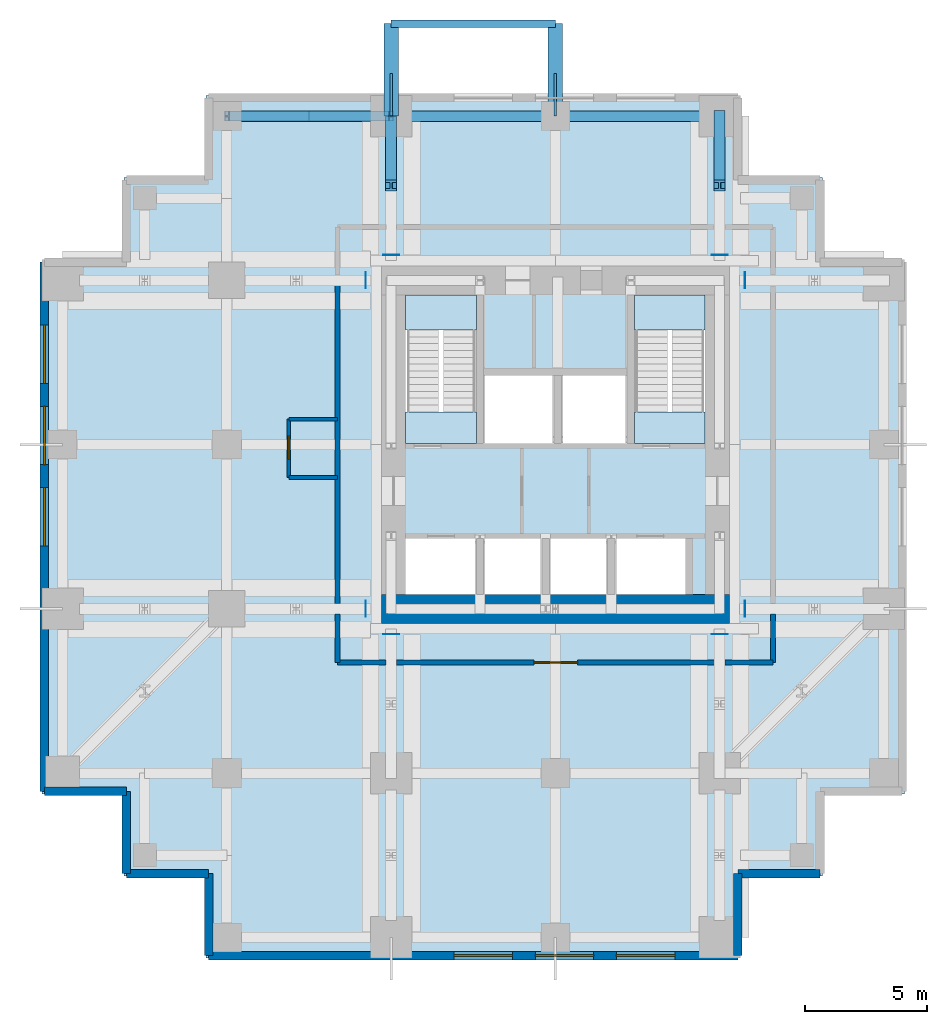
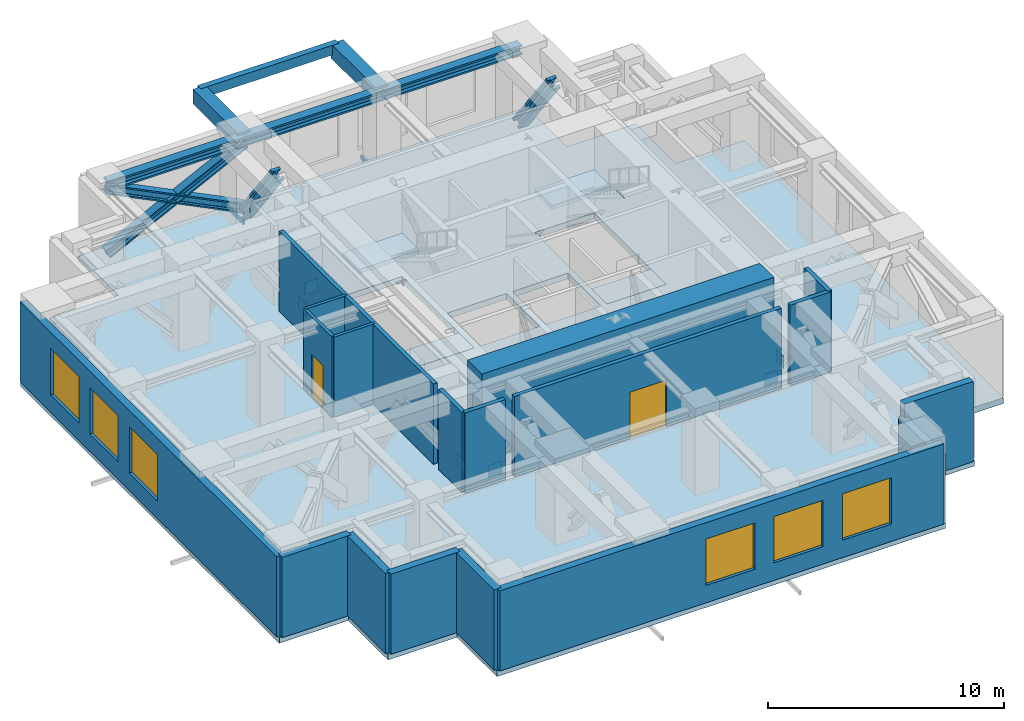
# One storey, part 3 of 6: 18 walls, 8 plates, 6 beams, 6 members, 6 windows, 5 slabs, 2 doors, 8 openings, 2 elements without a shape of their own.
"""IFC4 building model written with IfcOpenShell, lengths in metres."""

from ifc_helpers import new_model, si_unit, direction, frame, frame_2d, origin, origin_2d, place, context, subcontext, project, spatial, polyline, rectangle, hollow_rectangle, i_section, outline, extrude, material, layer, layer_set, material_profile, profile_set, type_object, element, fill, aggregate, save


model = new_model("IFC4")

# Units and contexts
model_context = context("Model", 3, precision=1e-05, world=origin(), true_north=direction((0.0, 1.0)))
body_context = subcontext(model_context, "Body", "Model", "MODEL_VIEW")
ifc_project = project(units=[si_unit("LENGTHUNIT", "METRE"), si_unit("AREAUNIT", "SQUARE_METRE"), si_unit("VOLUMEUNIT", "CUBIC_METRE"), si_unit("PLANEANGLEUNIT", "RADIAN"), si_unit("MASSUNIT", "GRAM", prefix="KILO")], contexts=[model_context])

# Site, building, storey
site_placement = place(None, origin())
site = spatial("IfcSite", under=ifc_project, at=site_placement, CompositionType="ELEMENT")
building_placement = place(site_placement, origin())
building = spatial("IfcBuilding", under=site, at=building_placement, Name="Nyansa Garden Tower", CompositionType="ELEMENT")
storey_placement = place(building_placement, frame((0.0, 0.0, 199.800048828125)))
storey = spatial("IfcBuildingStorey", under=building, at=storey_placement, Name="L54", CompositionType="ELEMENT", Elevation=199.800048828125)

# Beams
ifc_material_1 = material(Name="Concrete C70/85", Category="concrete")
ifc_material_profile_1 = material_profile(ifc_material_1, rectangle(XDim=0.60009765625, YDim=0.75, at=origin_2d()), Name="RC 600x750")
ifc_profile_set_1 = profile_set([ifc_material_profile_1], Name="Concrete C70/85")
beam_type_1 = type_object("IfcBeamType", Name="Balcony cantilever beam CB1 RC 600x750", PredefinedType="BEAM", material=ifc_profile_set_1)
for number, where, z_axis, x_axis, name in (
    (1, (13.5, 33.75, 3.885009765625), (0.0, 1.0, 0.0), (-1.0, 0.0, 0.0), "Balcony cantilever beam L55"),
    (2, (20.25, 33.75, 3.885009765625), (0.0, 1.0, 0.0), (-1.0, 0.0, 0.0), "Balcony cantilever beam L55"),
):
    element("IfcBeam", number, at=place(storey_placement, frame(where, z_axis=z_axis, x_axis=x_axis)), inside=storey, type_object=beam_type_1, Name=name, PredefinedType="BEAM", context=body_context, shape_type="SweptSolid", body=[
        extrude(rectangle(XDim=0.60009765625, YDim=0.75, at=origin_2d()), origin(), (0.0, 0.0, 1.0), 3.800048828125),
    ])
ifc_material_2 = material(Name="Concrete C70/85", Category="concrete")
ifc_material_profile_2 = material_profile(ifc_material_2, rectangle(XDim=0.300048828125, YDim=0.5, at=origin_2d()), Name="RC 300x500")
ifc_profile_set_2 = profile_set([ifc_material_profile_2], Name="Concrete C70/85")
beam_type_2 = type_object("IfcBeamType", Name="Balcony edge beam BE1 RC 300x500", PredefinedType="BEAM", material=ifc_profile_set_2)
beam_placement = place(storey_placement, frame((13.5, 37.550048828125, 4.010009765625), z_axis=(1.0, 0.0, 0.0), x_axis=(0.0, 1.0, 0.0)))
element("IfcBeam", 3, at=beam_placement, inside=storey, type_object=beam_type_2, Name="Balcony edge beam L55", PredefinedType="BEAM", context=body_context, shape_type="SweptSolid", body=[
    extrude(rectangle(XDim=0.300048828125, YDim=0.5, at=origin_2d()), origin(), (0.0, 0.0, 1.0), 6.75),
])

# Members
ifc_material_3 = material(Name="Steel S355", Category="steel")
ifc_material_profile_3 = material_profile(ifc_material_3, i_section(OverallWidth=0.41796875, OverallDepth=0.455078125, WebThickness=0.0419921875, FlangeThickness=0.067626953125, FilletRadius=0.014892578125, at=origin_2d()), Name="HD 400x463")
ifc_profile_set_3 = profile_set([ifc_material_profile_3], Name="Steel S355")
member_type_1 = type_object("IfcMemberType", Name="Belt truss diagonal HD 400x463", PredefinedType="BRACE", material=ifc_profile_set_3)
for number, where, z_axis, x_axis, name in (
    (4, (6.75, 33.75, 0.39990234375), (0.895745130073, 0.0, 0.444567949756), (0.0, 1.0, 0.0), "Belt truss diagonal N1a L54"),
    (5, (13.5, 33.75, 0.39990234375), (-0.895745130073, 0.0, 0.444567949756), (0.0, -1.0, 0.0), "Belt truss diagonal N1b L54"),
):
    element("IfcMember", number, at=place(storey_placement, frame(where, z_axis=z_axis, x_axis=x_axis)), inside=storey, type_object=member_type_1, Name=name, PredefinedType="BRACE", context=body_context, shape_type="SweptSolid", body=[
        extrude(i_section(OverallWidth=0.41796875, OverallDepth=0.455078125, WebThickness=0.0419921875, FlangeThickness=0.067626953125, FilletRadius=0.014892578125, at=origin_2d()), origin(), (0.0, 0.0, 1.0), 7.53564453125),
    ])
ifc_material_4 = material(Name="Steel S355, black powder coated", Category="steel")
ifc_material_profile_4 = material_profile(ifc_material_4, hollow_rectangle(XDim=0.10009765625, YDim=0.199951171875, WallThickness=0.008056640625, at=origin_2d()), Name="RHS 200x100x8")
ifc_profile_set_4 = profile_set([ifc_material_profile_4], Name="Steel S355, black powder coated")
member_type_2 = type_object("IfcMemberType", Name="Outer skin bracket arm RHS 200x100x8", PredefinedType="USERDEFINED", material=ifc_profile_set_4)
for number, where, z_axis, x_axis, name in (
    (6, (13.5, 33.75, -0.449951171875), (0.0, 1.0, 0.0), (-1.0, 0.0, 0.0), "Outer skin bracket arm"),
    (7, (20.25, 33.75, -0.449951171875), (0.0, 1.0, 0.0), (-1.0, 0.0, 0.0), "Outer skin bracket arm"),
):
    element("IfcMember", number, at=place(storey_placement, frame(where, z_axis=z_axis, x_axis=x_axis)), inside=storey, type_object=member_type_2, Name=name, ObjectType="OUTER SKIN BRACKET", PredefinedType="USERDEFINED", context=body_context, shape_type="SweptSolid", body=[
        extrude(hollow_rectangle(XDim=0.10009765625, YDim=0.199951171875, WallThickness=0.008056640625, at=origin_2d()), origin(), (0.0, 0.0, 1.0), 1.75),
    ])
ifc_material_5 = material(Name="Steel S355", Category="steel")
ifc_material_profile_5 = material_profile(ifc_material_5, i_section(OverallWidth=0.4541015625, OverallDepth=0.569091796875, WebThickness=0.077880859375, FlangeThickness=0.125, FilletRadius=0.014892578125, at=origin_2d()), Name="HD 400x1086")
ifc_profile_set_5 = profile_set([ifc_material_profile_5], Name="Steel S355")
member_type_3 = type_object("IfcMemberType", Name="Outrigger truss diagonal HD 400x1086", PredefinedType="BRACE", material=ifc_profile_set_5)
for number, where, z_axis, x_axis, name in (
    (8, (13.5, 33.75, 0.0), (0.0, -0.600008223483, 0.799993832321), (1.0, 0.0, 0.0), "Outrigger truss diagonal L54 3.1b"),
    (9, (27.0, 33.75, 0.0), (0.0, -0.600008223483, 0.799993832321), (1.0, 0.0, 0.0), "Outrigger truss diagonal L54 4.1b"),
):
    element("IfcMember", number, at=place(storey_placement, frame(where, z_axis=z_axis, x_axis=x_axis)), inside=storey, type_object=member_type_3, Name=name, PredefinedType="BRACE", context=body_context, shape_type="SweptSolid", body=[
        extrude(i_section(OverallWidth=0.4541015625, OverallDepth=0.569091796875, WebThickness=0.077880859375, FlangeThickness=0.125, FilletRadius=0.014892578125, at=origin_2d()), origin(), (0.0, 0.0, 1.0), 4.75),
    ])

# Beams
ifc_material_6 = material(Name="Steel S355", Category="steel")
ifc_material_profile_6 = material_profile(ifc_material_6, i_section(OverallWidth=0.431884765625, OverallDepth=0.498046875, WebThickness=0.0556640625, FlangeThickness=0.0888671875, FilletRadius=0.014892578125, at=origin_2d()), Name="HD 400x744")
ifc_profile_set_6 = profile_set([ifc_material_profile_6], Name="Steel S355")
beam_type_3 = type_object("IfcBeamType", Name="Steel beam SEBC-744 HD 400x744", PredefinedType="BEAM", material=ifc_profile_set_6)
for number, where, z_axis, x_axis, name in (
    (10, (6.75, 33.75, 3.90087890625), (1.0, 0.0, 0.0), (0.0, 1.0, 0.0), "Steel edge beam 3/J-4/J L55"),
    (11, (13.5, 33.75, 3.90087890625), (1.0, 0.0, 0.0), (0.0, 1.0, 0.0), "Steel edge beam 4/J-5/J L55"),
    (12, (20.25, 33.75, 3.90087890625), (1.0, 0.0, 0.0), (0.0, 1.0, 0.0), "Steel edge beam 5/J-6/J L55"),
):
    element("IfcBeam", number, at=place(storey_placement, frame(where, z_axis=z_axis, x_axis=x_axis)), inside=storey, type_object=beam_type_3, Name=name, PredefinedType="BEAM", context=body_context, shape_type="SweptSolid", body=[
        extrude(i_section(OverallWidth=0.431884765625, OverallDepth=0.498046875, WebThickness=0.0556640625, FlangeThickness=0.0888671875, FilletRadius=0.014892578125, at=origin_2d()), origin(), (0.0, 0.0, 1.0), 6.75),
    ])

# Slab
ifc_material_7 = material(Name="Concrete C40/50", Category="concrete")
ifc_layer_1 = layer(ifc_material_7, 0.300048828125)
ifc_layer_set_1 = layer_set([ifc_layer_1], Name="Floor slab FS300")
slab_type_1 = type_object("IfcSlabType", Name="Floor slab FS300", PredefinedType="FLOOR", material=ifc_layer_set_1)
slab_1_placement = place(storey_placement, frame((0.0, 0.0, -0.300048828125)))
element("IfcSlab", 13, at=slab_1_placement, inside=storey, type_object=slab_type_1, Name="Floor slab L54", PredefinedType="FLOOR", context=body_context, shape_type="SweptSolid", body=[
    extrude(outline(polyline([(34.60009765625, 5.89990234375), (31.22509765625, 5.89990234375), (31.22509765625, 2.52490234375), (27.85009765625, 2.52490234375), (27.85009765625, -0.85009765625), (5.89990234375, -0.85009765625), (5.89990234375, 2.52490234375), (2.52490234375, 2.52490234375), (2.52490234375, 5.89990234375), (-0.85009765625, 5.89990234375), (-0.85009765625, 27.85009765625), (2.52490234375, 27.85009765625), (2.52490234375, 31.22509765625), (5.89990234375, 31.22509765625), (5.89990234375, 34.60009765625), (27.85009765625, 34.60009765625), (27.85009765625, 31.22509765625), (31.22509765625, 31.22509765625), (31.22509765625, 27.85009765625), (34.60009765625, 27.85009765625), (34.60009765625, 5.89990234375)]), holes=[polyline([(14.10009765625, 14.10009765625), (17.0, 14.10009765625), (17.0, 16.39990234375), (14.10009765625, 16.39990234375), (14.10009765625, 14.10009765625)]), polyline([(17.300048828125, 14.10009765625), (19.699951171875, 14.10009765625), (19.699951171875, 16.39990234375), (17.300048828125, 16.39990234375), (17.300048828125, 14.10009765625)]), polyline([(20.0, 14.10009765625), (22.39990234375, 14.10009765625), (22.39990234375, 16.39990234375), (20.0, 16.39990234375), (20.0, 14.10009765625)]), polyline([(22.699951171875, 14.10009765625), (25.60009765625, 14.10009765625), (25.60009765625, 16.39990234375), (22.699951171875, 16.39990234375), (22.699951171875, 14.10009765625)]), polyline([(17.300048828125, 20.300048828125), (20.199951171875, 20.300048828125), (20.199951171875, 23.10009765625), (17.300048828125, 23.10009765625), (17.300048828125, 20.300048828125)]), polyline([(20.5, 20.300048828125), (23.199951171875, 20.300048828125), (23.199951171875, 23.10009765625), (20.5, 23.10009765625), (20.5, 20.300048828125)]), polyline([(14.10009765625, 20.300048828125), (17.0, 20.300048828125), (17.0, 26.39990234375), (14.10009765625, 26.39990234375), (14.10009765625, 20.300048828125)]), polyline([(23.5, 20.300048828125), (26.39990234375, 20.300048828125), (26.39990234375, 26.39990234375), (23.5, 26.39990234375), (23.5, 20.300048828125)])]), origin(), (0.0, 0.0, 1.0), 0.300048828125),
])

# Plates
ifc_material_8 = material(Name="Steel S355", Category="steel")
ifc_layer_2 = layer(ifc_material_8, 0.01611328125)
ifc_layer_set_2 = layer_set([ifc_layer_2], Name="Outrigger chord end plate ECP1")
plate_type = type_object("IfcPlateType", Name="Outrigger chord end plate ECP1", PredefinedType="USERDEFINED", material=ifc_layer_set_2)
for number, where, z_axis, x_axis, name in (
    (14, (13.5, 12.4580078125, -0.625), (0.0, 0.0, 1.0), (1.0, 0.0, 0.0), "Outrigger diagonal L54 1.2b gusset end plate"),
    (15, (27.0, 12.4580078125, -0.625), (0.0, 0.0, 1.0), (1.0, 0.0, 0.0), "Outrigger diagonal L54 2.2b gusset end plate"),
    (16, (13.5, 28.0419921875, -0.625), (0.0, 0.0, 1.0), (1.0, 0.0, 0.0), "Outrigger diagonal L54 3.1a gusset end plate"),
    (17, (27.0, 28.0419921875, -0.625), (0.0, 0.0, 1.0), (1.0, 0.0, 0.0), "Outrigger diagonal L54 4.1a gusset end plate"),
):
    element("IfcPlate", number, at=place(storey_placement, frame(where, z_axis=z_axis, x_axis=x_axis)), inside=storey, type_object=plate_type, Name=name, ObjectType="END PLATE", PredefinedType="USERDEFINED", context=body_context, shape_type="SweptSolid", body=[
        extrude(rectangle(XDim=0.64990234375, YDim=0.01611328125, at=origin_2d()), origin(), (0.0, 0.0, 1.0), 0.64990234375),
    ])
for number, where, z_axis, x_axis, name in (
    (18, (12.4580078125, 13.5, -0.625), (0.0, 0.0, 1.0), (1.0, 0.0, 0.0), "Outrigger diagonal L54 5.2b gusset end plate"),
    (19, (12.4580078125, 27.0, -0.625), (0.0, 0.0, 1.0), (1.0, 0.0, 0.0), "Outrigger diagonal L54 6.2b gusset end plate"),
    (20, (28.0419921875, 13.5, -0.625), (0.0, 0.0, 1.0), (1.0, 0.0, 0.0), "Outrigger diagonal L54 7.1a gusset end plate"),
    (21, (28.0419921875, 27.0, -0.625), (0.0, 0.0, 1.0), (1.0, 0.0, 0.0), "Outrigger diagonal L54 8.1a gusset end plate"),
):
    element("IfcPlate", number, at=place(storey_placement, frame(where, z_axis=z_axis, x_axis=x_axis)), inside=storey, type_object=plate_type, Name=name, ObjectType="END PLATE", PredefinedType="USERDEFINED", context=body_context, shape_type="SweptSolid", body=[
        extrude(rectangle(XDim=0.01611328125, YDim=0.64990234375, at=origin_2d()), origin(), (0.0, 0.0, 1.0), 0.64990234375),
    ])

# Stair, slabs
ifc_material_9 = material(Name="Precast concrete C40/50", Category="concrete")
stair_type_1 = type_object("IfcStairType", Name="Stair S1 173x280", PredefinedType="HALF_TURN_STAIR", material=ifc_material_9)
stair_1_placement = place(storey_placement, origin())
stair_1 = element("IfcStair", 22, at=stair_1_placement, inside=storey, type_object=stair_type_1, Name="Stair S1 L54", PredefinedType="HALF_TURN_STAIR")
ifc_material_10 = material(Name="Concrete C40/50", Category="concrete")
ifc_layer_3 = layer(ifc_material_10, 0.199951171875)
ifc_layer_set_3 = layer_set([ifc_layer_3], Name="Stair landing SL200")
slab_type_2 = type_object("IfcSlabType", Name="Stair landing SL200", PredefinedType="LANDING", material=ifc_layer_set_3)
slab_2_placement = place(storey_placement, frame((0.0, 0.0, -0.199951171875)))
slab_2 = element("IfcSlab", 23, at=slab_2_placement, type_object=slab_type_2, Name="S1 landing 1", PredefinedType="LANDING", context=body_context, shape_type="SweptSolid", body=[
    extrude(outline(polyline([(14.10009765625, 20.300048828125), (17.0, 20.300048828125), (17.0, 21.60009765625), (14.10009765625, 21.60009765625), (14.10009765625, 20.300048828125)])), origin(), (0.0, 0.0, 1.0), 0.199951171875),
])
slab_3_placement = place(storey_placement, frame((0.0, 0.0, 2.050048828125)))
slab_3 = element("IfcSlab", 24, at=slab_3_placement, type_object=slab_type_2, Name="S1 landing 2", PredefinedType="LANDING", context=body_context, shape_type="SweptSolid", body=[
    extrude(outline(polyline([(14.10009765625, 24.9599609375), (17.0, 24.9599609375), (17.0, 26.39990234375), (14.10009765625, 26.39990234375), (14.10009765625, 24.9599609375)])), origin(), (0.0, 0.0, 1.0), 0.199951171875),
])
aggregate(stair_1, [slab_2, slab_3])

ifc_material_11 = material(Name="Precast concrete C40/50", Category="concrete")
stair_type_2 = type_object("IfcStairType", Name="Stair S2 173x280", PredefinedType="HALF_TURN_STAIR", material=ifc_material_11)
stair_2_placement = place(storey_placement, origin())
stair_2 = element("IfcStair", 25, at=stair_2_placement, inside=storey, type_object=stair_type_2, Name="Stair S2 L54", PredefinedType="HALF_TURN_STAIR")
slab_4_placement = place(storey_placement, frame((0.0, 0.0, -0.199951171875)))
slab_4 = element("IfcSlab", 26, at=slab_4_placement, type_object=slab_type_2, Name="S2 landing 1", PredefinedType="LANDING", context=body_context, shape_type="SweptSolid", body=[
    extrude(outline(polyline([(23.5, 20.300048828125), (26.39990234375, 20.300048828125), (26.39990234375, 21.60009765625), (23.5, 21.60009765625), (23.5, 20.300048828125)])), origin(), (0.0, 0.0, 1.0), 0.199951171875),
])
slab_5_placement = place(storey_placement, frame((0.0, 0.0, 2.050048828125)))
slab_5 = element("IfcSlab", 27, at=slab_5_placement, type_object=slab_type_2, Name="S2 landing 2", PredefinedType="LANDING", context=body_context, shape_type="SweptSolid", body=[
    extrude(outline(polyline([(23.5, 24.9599609375), (26.39990234375, 24.9599609375), (26.39990234375, 26.39990234375), (23.5, 26.39990234375), (23.5, 24.9599609375)])), origin(), (0.0, 0.0, 1.0), 0.199951171875),
])
aggregate(stair_2, [slab_4, slab_5])

# Walls
ifc_material_12 = material(Name="Concrete C80/95", Category="concrete")
ifc_layer_4 = layer(ifc_material_12, 1.199951171875)
ifc_layer_set_4 = layer_set([ifc_layer_4], Name="Core wall CW1200")
wall_type_1 = type_object("IfcWallType", Name="Core wall CW1200", PredefinedType="SHEAR", material=ifc_layer_set_4)
wall_1_placement = place(storey_placement, frame((13.10009765625, 13.5, 0.0), z_axis=(0.0, 0.0, 1.0), x_axis=(1.0, 0.0, 0.0)))
element("IfcWall", 28, at=wall_1_placement, inside=storey, type_object=wall_type_1, Name="Core wall S L54", PredefinedType="SHEAR", context=body_context, shape_type="SweptSolid", body=[
    extrude(rectangle(XDim=14.2998046875, YDim=1.199951171875, at=frame_2d((7.14990234375, 0.0))), origin(), (0.0, 0.0, 1.0), 4.5),
])
ifc_material_13 = material(Name="Concrete blockwork, plastered, 60 minute fire resisting", Category="masonry")
ifc_layer_5 = layer(ifc_material_13, 0.199951171875)
ifc_layer_set_5 = layer_set([ifc_layer_5], Name="Corridor wall FW200")
wall_type_2 = type_object("IfcWallType", Name="Corridor wall FW200", PredefinedType="PARTITIONING", material=ifc_layer_set_5)
for number, where, z_axis, x_axis, name in (
    (29, (11.300048828125, 11.300048828125, 0.0), (0.0, 0.0, 1.0), (0.0, 1.0, 0.0), "Corridor wall"),
    (30, (11.300048828125, 11.300048828125, 0.0), (0.0, 0.0, 1.0), (1.0, 0.0, 0.0), "Corridor wall"),
):
    element("IfcWall", number, at=place(storey_placement, frame(where, z_axis=z_axis, x_axis=x_axis)), inside=storey, type_object=wall_type_2, Name=name, PredefinedType="PARTITIONING", context=body_context, shape_type="SweptSolid", body=[
        extrude(rectangle(XDim=1.98486328125, YDim=0.199951171875, at=frame_2d((0.992431640625, 0.0))), origin(), (0.0, 0.0, 1.0), 4.14990234375),
    ])
wall_2_placement = place(storey_placement, frame((11.300048828125, 13.715087890625, 0.0), z_axis=(0.0, 0.0, 1.0), x_axis=(0.0, 1.0, 0.0)))
element("IfcWall", 31, at=wall_2_placement, inside=storey, type_object=wall_type_2, Name="Corridor wall", PredefinedType="PARTITIONING", context=body_context, shape_type="SweptSolid", body=[
    extrude(rectangle(XDim=13.06982421875, YDim=0.199951171875, at=frame_2d((6.534912109375, 0.0))), origin(), (0.0, 0.0, 1.0), 4.14990234375),
])

# Wall, opening, door
wall_3_placement = place(storey_placement, frame((13.715087890625, 11.300048828125, 0.0), z_axis=(0.0, 0.0, 1.0), x_axis=(1.0, 0.0, 0.0)))
wall_3 = element("IfcWall", 32, at=wall_3_placement, inside=storey, type_object=wall_type_2, Name="Corridor wall", PredefinedType="PARTITIONING", context=body_context, shape_type="SweptSolid", body=[
    extrude(rectangle(XDim=13.06982421875, YDim=0.199951171875, at=frame_2d((6.534912109375, 0.0))), origin(), (0.0, 0.0, 1.0), 4.14990234375),
])
opening_1_placement = place(wall_3_placement, frame((5.64990234375, 0.0, 0.0)))
opening_1 = element("IfcOpeningElement", 33, at=opening_1_placement, cuts=wall_3, Name="Opening D09", PredefinedType="OPENING", context=body_context, shape_type="SweptSolid", body=[
    extrude(rectangle(XDim=1.800048828125, YDim=2.39990234375, at=frame_2d((0.89990234375, 1.199951171875))), frame((0.0, 0.10986328125, 0.0), z_axis=(0.0, -1.0, 0.0), x_axis=(1.0, 0.0, 0.0)), (0.0, 0.0, 1.0), 0.219970703125),
])
ifc_material_14 = material(Name="Steel door, 120 minute fire resisting", Category="steel")
door_type_1 = type_object("IfcDoorType", Name="Plant room door D09 1800x2400", OperationType="DOUBLE_DOOR_SINGLE_SWING", PredefinedType="DOOR", material=ifc_material_14)
door_1_placement = place(opening_1_placement, origin())
door_1 = element("IfcDoor", 34, at=door_1_placement, inside=storey, type_object=door_type_1, Name="Door L54-017", OperationType="DOUBLE_DOOR_SINGLE_SWING", OverallHeight=2.39990234375, OverallWidth=1.800048828125, PredefinedType="DOOR", context=body_context, shape_type="SweptSolid", body=[
    extrude(rectangle(XDim=1.800048828125, YDim=2.39990234375, at=frame_2d((0.89990234375, 1.199951171875))), frame((0.0, 0.02490234375, 0.0), z_axis=(0.0, -1.0, 0.0), x_axis=(1.0, 0.0, 0.0)), (0.0, 0.0, 1.0), 0.050048828125),
])
fill(opening_1, door_1)

# Walls
for number, where, z_axis, x_axis, name in (
    (35, (27.215087890625, 11.300048828125, 0.0), (0.0, 0.0, 1.0), (1.0, 0.0, 0.0), "Corridor wall"),
    (36, (29.199951171875, 11.300048828125, 0.0), (0.0, 0.0, 1.0), (0.0, 1.0, 0.0), "Corridor wall"),
):
    element("IfcWall", number, at=place(storey_placement, frame(where, z_axis=z_axis, x_axis=x_axis)), inside=storey, type_object=wall_type_2, Name=name, PredefinedType="PARTITIONING", context=body_context, shape_type="SweptSolid", body=[
        extrude(rectangle(XDim=1.98486328125, YDim=0.199951171875, at=frame_2d((0.992431640625, 0.0))), origin(), (0.0, 0.0, 1.0), 4.14990234375),
    ])

# Wall, opening, door
ifc_material_15 = material(Name="Blockwork, plastered both sides", Category="masonry")
ifc_layer_6 = layer(ifc_material_15, 0.14990234375)
ifc_layer_set_6 = layer_set([ifc_layer_6], Name="Partition PW150")
wall_type_3 = type_object("IfcWallType", Name="Partition PW150", PredefinedType="PARTITIONING", material=ifc_layer_set_6)
wall_4_placement = place(storey_placement, frame((9.300048828125, 18.89990234375, 0.0), z_axis=(0.0, 0.0, 1.0), x_axis=(0.0, 1.0, 0.0)))
wall_4 = element("IfcWall", 37, at=wall_4_placement, inside=storey, type_object=wall_type_3, Name="Partition", PredefinedType="PARTITIONING", context=body_context, shape_type="SweptSolid", body=[
    extrude(rectangle(XDim=2.400146484375, YDim=0.14990234375, at=frame_2d((1.2001953125, 0.0))), origin(), (0.0, 0.0, 1.0), 4.14990234375),
])
opening_2_placement = place(wall_4_placement, frame((0.75, 0.0, 0.0)))
opening_2 = element("IfcOpeningElement", 38, at=opening_2_placement, cuts=wall_4, Name="Opening D01", PredefinedType="OPENING", context=body_context, shape_type="SweptSolid", body=[
    extrude(rectangle(XDim=0.949951171875, YDim=2.199951171875, at=frame_2d((0.47509765625, 1.10009765625))), frame((0.0, 0.0849609375, 0.0), z_axis=(0.0, -1.0, 0.0), x_axis=(1.0, 0.0, 0.0)), (0.0, 0.0, 1.0), 0.169921875),
])
ifc_material_16 = material(Name="Timber flush door, 30 minute fire resisting", Category="wood")
door_type_2 = type_object("IfcDoorType", Name="Bedroom door D01 950x2200", OperationType="SINGLE_SWING_LEFT", PredefinedType="DOOR", material=ifc_material_16)
door_2_placement = place(opening_2_placement, origin())
door_2 = element("IfcDoor", 39, at=door_2_placement, inside=storey, type_object=door_type_2, Name="Door L54-016", OperationType="SINGLE_SWING_LEFT", OverallHeight=2.199951171875, OverallWidth=0.949951171875, PredefinedType="DOOR", context=body_context, shape_type="SweptSolid", body=[
    extrude(rectangle(XDim=0.949951171875, YDim=2.199951171875, at=frame_2d((0.47509765625, 1.10009765625))), frame((0.0, 0.02490234375, 0.0), z_axis=(0.0, -1.0, 0.0), x_axis=(1.0, 0.0, 0.0)), (0.0, 0.0, 1.0), 0.050048828125),
])
fill(opening_2, door_2)

# Walls
for number, where, z_axis, x_axis, name in (
    (40, (9.300048828125, 18.89990234375, 0.0), (0.0, 0.0, 1.0), (1.0, 0.0, 0.0), "Partition"),
    (41, (9.300048828125, 21.300048828125, 0.0), (0.0, 0.0, 1.0), (1.0, 0.0, 0.0), "Partition"),
):
    element("IfcWall", number, at=place(storey_placement, frame(where, z_axis=z_axis, x_axis=x_axis)), inside=storey, type_object=wall_type_3, Name=name, PredefinedType="PARTITIONING", context=body_context, shape_type="SweptSolid", body=[
        extrude(rectangle(XDim=2.0, YDim=0.14990234375, at=frame_2d((1.0, 0.0))), origin(), (0.0, 0.0, 1.0), 4.14990234375),
    ])

# Wall, openings, windows
ifc_material_17 = material(Name="Turquoise and ultramarine glazed tile on concrete blockwork", Category="masonry")
ifc_layer_7 = layer(ifc_material_17, 0.35009765625)
ifc_layer_set_7 = layer_set([ifc_layer_7], Name="Tiled plant wall PW350")
wall_type_4 = type_object("IfcWallType", Name="Tiled plant wall PW350", PredefinedType="SOLIDWALL", material=ifc_layer_set_7)
wall_5_placement = place(storey_placement, frame((-0.75, 27.75, 0.0), z_axis=(0.0, 0.0, 1.0), x_axis=(0.0, -1.0, 0.0)))
wall_5 = element("IfcWall", 42, at=wall_5_placement, inside=storey, type_object=wall_type_4, Name="Tiled plant wall L54", PredefinedType="SOLIDWALL", context=body_context, shape_type="SweptSolid", body=[
    extrude(rectangle(XDim=21.75, YDim=0.35009765625, at=frame_2d((10.875, 0.0))), origin(), (0.0, 0.0, 1.0), 4.14990234375),
])
opening_3_placement = place(wall_5_placement, frame((2.58740234375, 0.0, 0.89990234375)))
opening_3 = element("IfcOpeningElement", 43, at=opening_3_placement, cuts=wall_5, Name="Opening W3", PredefinedType="OPENING", context=body_context, shape_type="SweptSolid", body=[
    extrude(rectangle(XDim=2.39990234375, YDim=2.39990234375, at=frame_2d((1.199951171875, 1.199951171875))), frame((0.0, 0.18505859375, 0.0), z_axis=(0.0, -1.0, 0.0), x_axis=(1.0, 0.0, 0.0)), (0.0, 0.0, 1.0), 0.3701171875),
])
opening_4_placement = place(wall_5_placement, frame((5.925048828125, 0.0, 0.89990234375)))
opening_4 = element("IfcOpeningElement", 44, at=opening_4_placement, cuts=wall_5, Name="Opening W3", PredefinedType="OPENING", context=body_context, shape_type="SweptSolid", body=[
    extrude(rectangle(XDim=2.39990234375, YDim=2.39990234375, at=frame_2d((1.199951171875, 1.199951171875))), frame((0.0, 0.18505859375, 0.0), z_axis=(0.0, -1.0, 0.0), x_axis=(1.0, 0.0, 0.0)), (0.0, 0.0, 1.0), 0.3701171875),
])
opening_5_placement = place(wall_5_placement, frame((9.262451171875, 0.0, 0.89990234375)))
opening_5 = element("IfcOpeningElement", 45, at=opening_5_placement, cuts=wall_5, Name="Opening W3", PredefinedType="OPENING", context=body_context, shape_type="SweptSolid", body=[
    extrude(rectangle(XDim=2.39990234375, YDim=2.39990234375, at=frame_2d((1.199951171875, 1.199951171875))), frame((0.0, 0.18505859375, 0.0), z_axis=(0.0, -1.0, 0.0), x_axis=(1.0, 0.0, 0.0)), (0.0, 0.0, 1.0), 0.3701171875),
])
ifc_material_18 = material(Name="Black aluminium weather louvre", Category="aluminium")
window_type = type_object("IfcWindowType", Name="Louvre W3 2400x2400", PartitioningType="SINGLE_PANEL", PredefinedType="WINDOW", material=ifc_material_18)
window_1_placement = place(opening_3_placement, origin())
window_1 = element("IfcWindow", 46, at=window_1_placement, inside=storey, type_object=window_type, Name="Louvre L54", OverallHeight=2.39990234375, OverallWidth=2.39990234375, PartitioningType="SINGLE_PANEL", PredefinedType="WINDOW", context=body_context, shape_type="SweptSolid", body=[
    extrude(rectangle(XDim=2.39990234375, YDim=2.39990234375, at=frame_2d((1.199951171875, 1.199951171875))), frame((0.0, 0.030029296875, 0.0), z_axis=(0.0, -1.0, 0.0), x_axis=(1.0, 0.0, 0.0)), (0.0, 0.0, 1.0), 0.06005859375),
])
fill(opening_3, window_1)
window_2_placement = place(opening_4_placement, origin())
window_2 = element("IfcWindow", 47, at=window_2_placement, inside=storey, type_object=window_type, Name="Louvre L54", OverallHeight=2.39990234375, OverallWidth=2.39990234375, PartitioningType="SINGLE_PANEL", PredefinedType="WINDOW", context=body_context, shape_type="SweptSolid", body=[
    extrude(rectangle(XDim=2.39990234375, YDim=2.39990234375, at=frame_2d((1.199951171875, 1.199951171875))), frame((0.0, 0.030029296875, 0.0), z_axis=(0.0, -1.0, 0.0), x_axis=(1.0, 0.0, 0.0)), (0.0, 0.0, 1.0), 0.06005859375),
])
fill(opening_4, window_2)
window_3_placement = place(opening_5_placement, origin())
window_3 = element("IfcWindow", 48, at=window_3_placement, inside=storey, type_object=window_type, Name="Louvre L54", OverallHeight=2.39990234375, OverallWidth=2.39990234375, PartitioningType="SINGLE_PANEL", PredefinedType="WINDOW", context=body_context, shape_type="SweptSolid", body=[
    extrude(rectangle(XDim=2.39990234375, YDim=2.39990234375, at=frame_2d((1.199951171875, 1.199951171875))), frame((0.0, 0.030029296875, 0.0), z_axis=(0.0, -1.0, 0.0), x_axis=(1.0, 0.0, 0.0)), (0.0, 0.0, 1.0), 0.06005859375),
])
fill(opening_5, window_3)

# Walls
for number, where, z_axis, x_axis, name in (
    (49, (-0.75, 6.0, 0.0), (0.0, 0.0, 1.0), (1.0, 0.0, 0.0), "Tiled plant wall L54"),
    (50, (2.625, 6.0, 0.0), (0.0, 0.0, 1.0), (0.0, -1.0, 0.0), "Tiled plant wall L54"),
    (51, (2.625, 2.625, 0.0), (0.0, 0.0, 1.0), (1.0, 0.0, 0.0), "Tiled plant wall L54"),
    (52, (6.0, 2.625, 0.0), (0.0, 0.0, 1.0), (0.0, -1.0, 0.0), "Tiled plant wall L54"),
):
    element("IfcWall", number, at=place(storey_placement, frame(where, z_axis=z_axis, x_axis=x_axis)), inside=storey, type_object=wall_type_4, Name=name, PredefinedType="SOLIDWALL", context=body_context, shape_type="SweptSolid", body=[
        extrude(rectangle(XDim=3.375, YDim=0.35009765625, at=frame_2d((1.6875, 0.0))), origin(), (0.0, 0.0, 1.0), 4.14990234375),
    ])

# Wall, openings, windows
wall_6_placement = place(storey_placement, frame((6.0, -0.75, 0.0), z_axis=(0.0, 0.0, 1.0), x_axis=(1.0, 0.0, 0.0)))
wall_6 = element("IfcWall", 53, at=wall_6_placement, inside=storey, type_object=wall_type_4, Name="Tiled plant wall L54", PredefinedType="SOLIDWALL", context=body_context, shape_type="SweptSolid", body=[
    extrude(rectangle(XDim=21.75, YDim=0.35009765625, at=frame_2d((10.875, 0.0))), origin(), (0.0, 0.0, 1.0), 4.14990234375),
])
opening_6_placement = place(wall_6_placement, frame((10.08740234375, 0.0, 0.89990234375)))
opening_6 = element("IfcOpeningElement", 54, at=opening_6_placement, cuts=wall_6, Name="Opening W3", PredefinedType="OPENING", context=body_context, shape_type="SweptSolid", body=[
    extrude(rectangle(XDim=2.39990234375, YDim=2.39990234375, at=frame_2d((1.199951171875, 1.199951171875))), frame((0.0, 0.18505859375, 0.0), z_axis=(0.0, -1.0, 0.0), x_axis=(1.0, 0.0, 0.0)), (0.0, 0.0, 1.0), 0.3701171875),
])
opening_7_placement = place(wall_6_placement, frame((13.425048828125, 0.0, 0.89990234375)))
opening_7 = element("IfcOpeningElement", 55, at=opening_7_placement, cuts=wall_6, Name="Opening W3", PredefinedType="OPENING", context=body_context, shape_type="SweptSolid", body=[
    extrude(rectangle(XDim=2.39990234375, YDim=2.39990234375, at=frame_2d((1.199951171875, 1.199951171875))), frame((0.0, 0.18505859375, 0.0), z_axis=(0.0, -1.0, 0.0), x_axis=(1.0, 0.0, 0.0)), (0.0, 0.0, 1.0), 0.3701171875),
])
opening_8_placement = place(wall_6_placement, frame((16.762451171875, 0.0, 0.89990234375)))
opening_8 = element("IfcOpeningElement", 56, at=opening_8_placement, cuts=wall_6, Name="Opening W3", PredefinedType="OPENING", context=body_context, shape_type="SweptSolid", body=[
    extrude(rectangle(XDim=2.39990234375, YDim=2.39990234375, at=frame_2d((1.199951171875, 1.199951171875))), frame((0.0, 0.18505859375, 0.0), z_axis=(0.0, -1.0, 0.0), x_axis=(1.0, 0.0, 0.0)), (0.0, 0.0, 1.0), 0.3701171875),
])
window_4_placement = place(opening_6_placement, origin())
window_4 = element("IfcWindow", 57, at=window_4_placement, inside=storey, type_object=window_type, Name="Louvre L54", OverallHeight=2.39990234375, OverallWidth=2.39990234375, PartitioningType="SINGLE_PANEL", PredefinedType="WINDOW", context=body_context, shape_type="SweptSolid", body=[
    extrude(rectangle(XDim=2.39990234375, YDim=2.39990234375, at=frame_2d((1.199951171875, 1.199951171875))), frame((0.0, 0.030029296875, 0.0), z_axis=(0.0, -1.0, 0.0), x_axis=(1.0, 0.0, 0.0)), (0.0, 0.0, 1.0), 0.06005859375),
])
fill(opening_6, window_4)
window_5_placement = place(opening_7_placement, origin())
window_5 = element("IfcWindow", 58, at=window_5_placement, inside=storey, type_object=window_type, Name="Louvre L54", OverallHeight=2.39990234375, OverallWidth=2.39990234375, PartitioningType="SINGLE_PANEL", PredefinedType="WINDOW", context=body_context, shape_type="SweptSolid", body=[
    extrude(rectangle(XDim=2.39990234375, YDim=2.39990234375, at=frame_2d((1.199951171875, 1.199951171875))), frame((0.0, 0.030029296875, 0.0), z_axis=(0.0, -1.0, 0.0), x_axis=(1.0, 0.0, 0.0)), (0.0, 0.0, 1.0), 0.06005859375),
])
fill(opening_7, window_5)
window_6_placement = place(opening_8_placement, origin())
window_6 = element("IfcWindow", 59, at=window_6_placement, inside=storey, type_object=window_type, Name="Louvre L54", OverallHeight=2.39990234375, OverallWidth=2.39990234375, PartitioningType="SINGLE_PANEL", PredefinedType="WINDOW", context=body_context, shape_type="SweptSolid", body=[
    extrude(rectangle(XDim=2.39990234375, YDim=2.39990234375, at=frame_2d((1.199951171875, 1.199951171875))), frame((0.0, 0.030029296875, 0.0), z_axis=(0.0, -1.0, 0.0), x_axis=(1.0, 0.0, 0.0)), (0.0, 0.0, 1.0), 0.06005859375),
])
fill(opening_8, window_6)

# Walls
wall_7_placement = place(storey_placement, frame((27.75, -0.75, 0.0), z_axis=(0.0, 0.0, 1.0), x_axis=(0.0, 1.0, 0.0)))
element("IfcWall", 60, at=wall_7_placement, inside=storey, type_object=wall_type_4, Name="Tiled plant wall L54", PredefinedType="SOLIDWALL", context=body_context, shape_type="SweptSolid", body=[
    extrude(rectangle(XDim=3.375, YDim=0.35009765625, at=frame_2d((1.6875, 0.0))), origin(), (0.0, 0.0, 1.0), 3.449951171875),
])
wall_8_placement = place(storey_placement, frame((27.75, 2.625, 0.0), z_axis=(0.0, 0.0, 1.0), x_axis=(1.0, 0.0, 0.0)))
element("IfcWall", 61, at=wall_8_placement, inside=storey, type_object=wall_type_4, Name="Tiled plant wall L54", PredefinedType="SOLIDWALL", context=body_context, shape_type="SweptSolid", body=[
    extrude(rectangle(XDim=3.375, YDim=0.35009765625, at=frame_2d((1.6875, 0.0))), origin(), (0.0, 0.0, 1.0), 4.14990234375),
])

save(model, "model.ifc")
